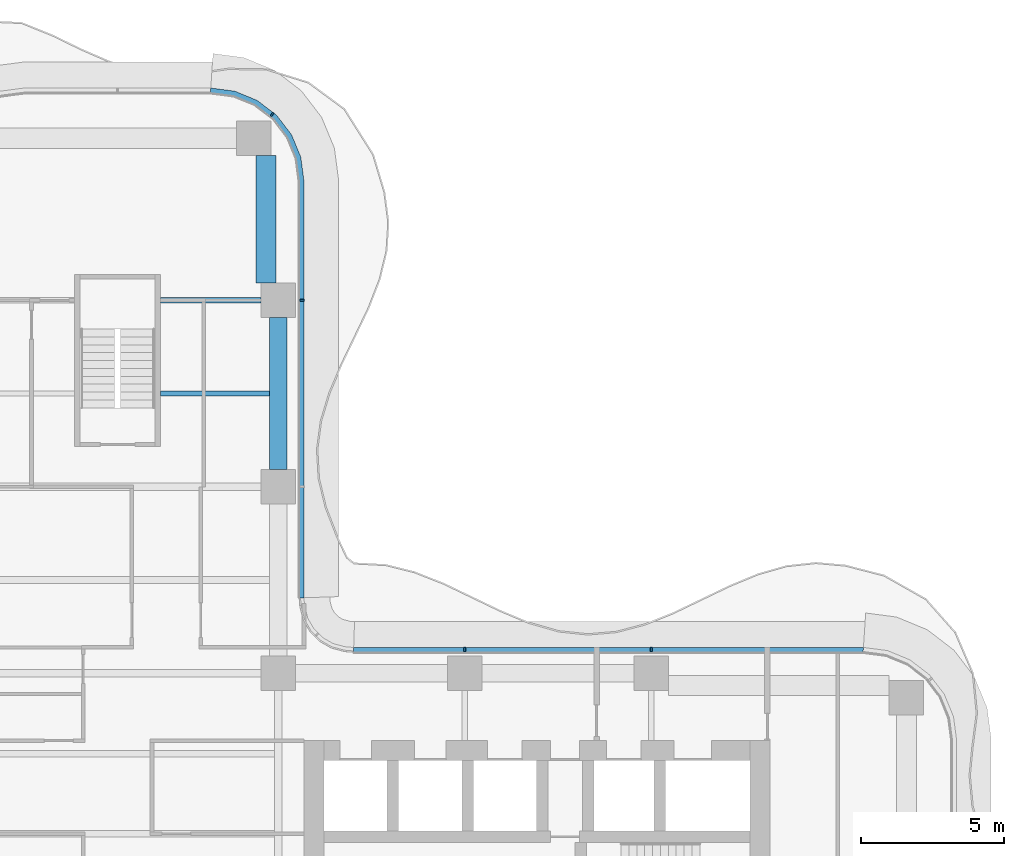
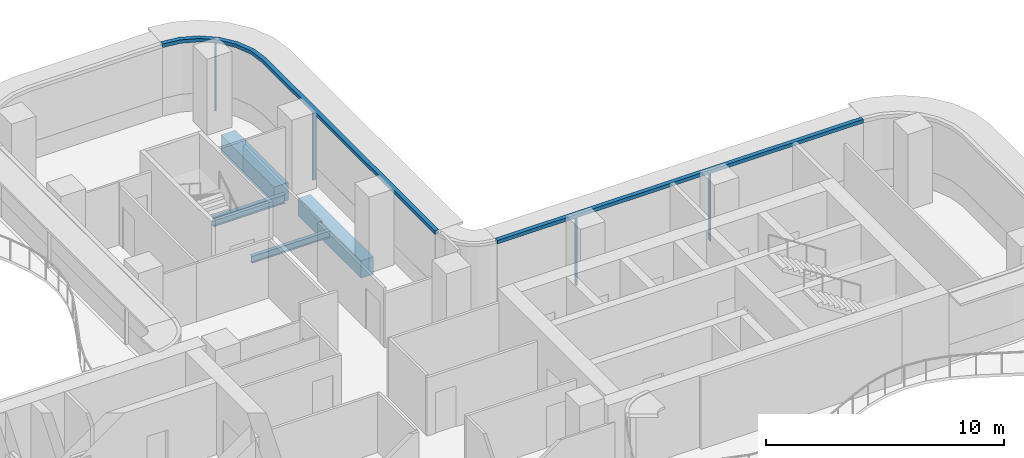
# One storey, part 8 of 17: 6 members, 4 beams, 2 elements without a shape of their own.
"""IFC4 building model written with IfcOpenShell, lengths in metres."""

import ifcopenshell
import ifcopenshell.guid

model = None  # the IFC model being written
_history = None  # IfcOwnerHistory: only IFC2X3 demands one
_inside = {}  # id of a spatial element -> (the spatial element, [elements in it])
_under = {}  # id of a project, library or spatial element -> (it, [spatial elements below it])
_declared = {}  # id of a project -> (the project, [libraries it declares])
_typed = {}  # id of a type object -> (the type object, [elements of that type])
_made_of = {}  # id of a material, layer set ... -> (it, [elements and type objects made of it])


def new_model(schema):
    """Start an empty IFC model of exactly this schema.

    Asked for "IFC4X3", IfcOpenShell would pick the latest addendum, in which some entities
    have other attributes; the version numbers below select the first issue.
    IFC2X3 requires an IfcOwnerHistory on every rooted entity: one is made here for all.
    """
    global model, _history
    if schema == "IFC4X3":
        model = ifcopenshell.file(schema_version=(4, 3, 0, 0))
    else:
        model = ifcopenshell.file(schema=schema)
    _inside.clear()
    _under.clear()
    _declared.clear()
    _typed.clear()
    _made_of.clear()
    _history = None
    if model.schema == "IFC2X3":
        org = make("IfcOrganization", Name="unknown")
        user = make(
            "IfcPersonAndOrganization",
            ThePerson=make("IfcPerson", FamilyName="unknown"),
            TheOrganization=org,
        )
        app = make(
            "IfcApplication",
            ApplicationDeveloper=org,
            Version="unknown",
            ApplicationFullName="unknown",
            ApplicationIdentifier="unknown",
        )
        _history = make(
            "IfcOwnerHistory",
            OwningUser=user,
            OwningApplication=app,
            ChangeAction="ADDED",
            CreationDate=0,
        )
    return model


def make(cls, **values):
    """One entity of the class cls with the attributes given. An attribute that is None is left unset."""
    return model.create_entity(
        cls, **{name: value for name, value in values.items() if value is not None}
    )


def rooted(cls, **values):
    """An entity with a GlobalId (a new one), such as an element, a storey or a relation."""
    return make(cls, GlobalId=ifcopenshell.guid.new(), OwnerHistory=_history, **values)


def si_unit(unit_type, name, prefix=None):
    """IfcSIUnit, for example si_unit("LENGTHUNIT", "METRE", prefix="MILLI")."""
    return make("IfcSIUnit", UnitType=unit_type, Prefix=prefix, Name=name)


def assignment(units):
    """IfcUnitAssignment: the units of a project."""
    return None if units is None else make("IfcUnitAssignment", Units=units)


def point(xyz):
    """IfcCartesianPoint."""
    return None if xyz is None else make("IfcCartesianPoint", Coordinates=xyz)


def direction(xyz):
    """IfcDirection."""
    return None if xyz is None else make("IfcDirection", DirectionRatios=xyz)


def frame(location, z_axis=None, x_axis=None):
    """IfcAxis2Placement3D, a coordinate frame: its origin and axes. An axis left out is left unset."""
    return make(
        "IfcAxis2Placement3D",
        Location=point(location),
        Axis=direction(z_axis),
        RefDirection=direction(x_axis),
    )


def frame_2d(location, x_axis=None):
    """IfcAxis2Placement2D, a coordinate frame in the plane: its origin and x axis."""
    return make(
        "IfcAxis2Placement2D", Location=point(location), RefDirection=direction(x_axis)
    )


def origin():
    """The frame at (0, 0, 0) with its axes left unset."""
    return frame((0.0, 0.0, 0.0))


def origin_2d():
    """The frame at (0, 0) in the plane with its x axis left unset."""
    return frame_2d((0.0, 0.0))


def place(relative_to, where):
    """IfcLocalPlacement: puts the frame where relative to a parent placement (None: the world)."""
    return make(
        "IfcLocalPlacement", PlacementRelTo=relative_to, RelativePlacement=where
    )


def context(
    kind, dimensions, precision=None, world=None, true_north=None, identifier=None
):
    """IfcGeometricRepresentationContext, for example the 3D "Model" context."""
    return make(
        "IfcGeometricRepresentationContext",
        ContextIdentifier=identifier,
        ContextType=kind,
        CoordinateSpaceDimension=dimensions,
        Precision=precision,
        WorldCoordinateSystem=world,
        TrueNorth=true_north,
    )


def subcontext(parent, identifier, kind, view, scale=None):
    """IfcGeometricRepresentationSubContext, for example "Body" below "Model"."""
    return make(
        "IfcGeometricRepresentationSubContext",
        ContextIdentifier=identifier,
        ContextType=kind,
        ParentContext=parent,
        TargetScale=scale,
        TargetView=view,
    )


def project(units=None, contexts=None):
    """IfcProject with its units and contexts."""
    return rooted(
        "IfcProject",
        Name="project",
        RepresentationContexts=contexts,
        UnitsInContext=assignment(units),
    )


def spatial(cls, under=None, at=None, **own):
    """A site, building, storey or space (cls), placed at a placement, below another one or the project."""
    s = rooted(cls, ObjectPlacement=at, **own)
    if under is not None:
        _under.setdefault(under.id(), (under, []))[1].append(s)
    return s


def polyline(points):
    """IfcPolyline through the points."""
    return make("IfcPolyline", Points=[point(p) for p in points])


def profile(cls, at=None, kind="AREA", **sizes):
    """A parametric profile (cls). Its sizes go by their IFC names, for example OverallWidth=200.0."""
    return make(cls, ProfileType=kind, Position=at, **sizes)


def rectangle(**sizes):
    """IfcRectangleProfileDef."""
    return profile("IfcRectangleProfileDef", **sizes)


def i_section(**sizes):
    """IfcIShapeProfileDef."""
    return profile("IfcIShapeProfileDef", **sizes)


def outline(outer, holes=None, kind="AREA"):
    """IfcArbitraryClosedProfileDef: a profile drawn as a closed curve; with holes, ...WithVoids."""
    if holes is None:
        return make("IfcArbitraryClosedProfileDef", ProfileType=kind, OuterCurve=outer)
    return make(
        "IfcArbitraryProfileDefWithVoids",
        ProfileType=kind,
        OuterCurve=outer,
        InnerCurves=holes,
    )


def extrude(swept, where, along, depth):
    """IfcExtrudedAreaSolid: the profile swept, set in the frame where, extruded along a direction by depth."""
    return make(
        "IfcExtrudedAreaSolid",
        SweptArea=swept,
        Position=where,
        ExtrudedDirection=direction(along),
        Depth=depth,
    )


def shape(context_of_items, identifier, shape_type, items):
    """IfcShapeRepresentation: the items that make up one representation, for example the "Body"."""
    return make(
        "IfcShapeRepresentation",
        ContextOfItems=context_of_items,
        RepresentationIdentifier=identifier,
        RepresentationType=shape_type,
        Items=items,
    )


def source(mapping_origin, context_of_items, identifier, shape_type, items):
    """IfcRepresentationMap: a shape defined once, which mapped items show again and again."""
    return make(
        "IfcRepresentationMap",
        MappingOrigin=mapping_origin,
        MappedRepresentation=shape(context_of_items, identifier, shape_type, items),
    )


def transform(
    local_origin,
    x_axis=None,
    y_axis=None,
    z_axis=None,
    scale=None,
    scale2=None,
    scale3=None,
    uniform=True,
):
    """IfcCartesianTransformationOperator3D, or its non-uniform kind. x_axis, y_axis, z_axis: its Axis1, 2, 3."""
    if uniform:
        return make(
            "IfcCartesianTransformationOperator3D",
            Axis1=direction(x_axis),
            Axis2=direction(y_axis),
            LocalOrigin=point(local_origin),
            Scale=scale,
            Axis3=direction(z_axis),
        )
    return make(
        "IfcCartesianTransformationOperator3DnonUniform",
        Axis1=direction(x_axis),
        Axis2=direction(y_axis),
        LocalOrigin=point(local_origin),
        Scale=scale,
        Axis3=direction(z_axis),
        Scale2=scale2,
        Scale3=scale3,
    )


def mapped(mapping_source, mapping_target):
    """IfcMappedItem: shows the shape of a source again, moved by a transform."""
    return make(
        "IfcMappedItem", MappingSource=mapping_source, MappingTarget=mapping_target
    )


def material(Name=None, Category=None):
    """IfcMaterial."""
    return make("IfcMaterial", Name=Name, Category=Category)


def layer(
    of_material, thickness, ventilated=None, Name=None, Category=None, Priority=None
):
    """IfcMaterialLayer: one layer of a wall or slab, of a material (None: an air gap)."""
    return make(
        "IfcMaterialLayer",
        Material=of_material,
        LayerThickness=thickness,
        IsVentilated=ventilated,
        Name=Name,
        Category=Category,
        Priority=Priority,
    )


def layer_set(layers, Name=None):
    """IfcMaterialLayerSet."""
    return make("IfcMaterialLayerSet", MaterialLayers=layers, LayerSetName=Name)


def material_profile(
    of_material, cross_section, Name=None, Category=None, Priority=None
):
    """IfcMaterialProfile: a cross section and its material."""
    return make(
        "IfcMaterialProfile",
        Name=Name,
        Material=of_material,
        Profile=cross_section,
        Priority=Priority,
        Category=Category,
    )


def profile_set(profiles, Name=None, composite=None):
    """IfcMaterialProfileSet."""
    return make(
        "IfcMaterialProfileSet",
        Name=Name,
        MaterialProfiles=profiles,
        CompositeProfile=composite,
    )


def made_of(thing, what):
    """Note that an element or type object is made of a material, layer set ...; save() writes the relation."""
    if what is not None:
        _made_of.setdefault(what.id(), (what, []))[1].append(thing)
    return thing


def type_object(cls, material=None, **own):
    """A type object (cls), such as IfcWallType, which elements share."""
    return made_of(rooted(cls, **own), material)


def element(
    cls,
    number,
    at=None,
    inside=None,
    cuts=None,
    type_object=None,
    material=None,
    context=None,
    identifier="Body",
    shape_type=None,
    held_by="IfcProductDefinitionShape",
    body=None,
    shapes=None,
    **own,
):
    """One element of the class cls, such as IfcWall. Its Tag is "e" and its number.

    at: its placement. inside: the storey or other place that contains it. cuts: it is an
    opening in that element (IfcRelVoidsElement). A single representation is given by context,
    identifier, shape_type and body (its items); several are given by shapes. held_by: the class
    of the entity that holds the representations. save() writes the other relations.
    """
    e = rooted(cls, Tag="e%d" % number, ObjectPlacement=at, **own)
    if body is not None:
        shapes = [shape(context, identifier, shape_type, body)]
    if shapes is not None:
        e.Representation = make(held_by, Representations=shapes)
    if inside is not None:
        _inside.setdefault(inside.id(), (inside, []))[1].append(e)
    if cuts is not None:
        rooted(
            "IfcRelVoidsElement", RelatingBuildingElement=cuts, RelatedOpeningElement=e
        )
    if type_object is not None:
        _typed.setdefault(type_object.id(), (type_object, []))[1].append(e)
    return made_of(e, material)


def aggregate(whole, parts):
    """IfcRelAggregates: a whole, such as a stair, and the parts it consists of."""
    return rooted("IfcRelAggregates", RelatingObject=whole, RelatedObjects=parts)


def save(model, path):
    """Write the relations noted so far, then the file.

    IfcRelAggregates (storeys below a building ...), IfcRelContainedInSpatialStructure (elements
    in a storey), IfcRelDefinesByType, IfcRelAssociatesMaterial and IfcRelDeclares: one each for
    every whole, place, type object, material and project.
    """
    for whole, parts in _under.values():
        aggregate(whole, parts)
    for where, things in _inside.values():
        rooted(
            "IfcRelContainedInSpatialStructure",
            RelatedElements=things,
            RelatingStructure=where,
        )
    for kind, things in _typed.values():
        rooted("IfcRelDefinesByType", RelatedObjects=things, RelatingType=kind)
    for what, things in _made_of.values():
        rooted("IfcRelAssociatesMaterial", RelatedObjects=things, RelatingMaterial=what)
    for by, libraries in _declared.values():
        rooted("IfcRelDeclares", RelatingContext=by, RelatedDefinitions=libraries)
    model.write(path)


model = new_model("IFC4")

# Units and contexts
model_context = context("Model", 3, precision=1e-05, world=origin(), true_north=direction((0.0, 1.0)))
body_context = subcontext(model_context, "Body", "Model", "MODEL_VIEW")
ifc_project = project(units=[si_unit("LENGTHUNIT", "METRE"), si_unit("AREAUNIT", "SQUARE_METRE"), si_unit("VOLUMEUNIT", "CUBIC_METRE"), si_unit("PLANEANGLEUNIT", "RADIAN"), si_unit("MASSUNIT", "GRAM", prefix="KILO")], contexts=[model_context])

# Site, building, storey
site_placement = place(None, origin())
site = spatial("IfcSite", under=ifc_project, at=site_placement, CompositionType="ELEMENT")
building_placement = place(site_placement, origin())
building = spatial("IfcBuilding", under=site, at=building_placement, Name="Trellis Farm Tower", CompositionType="ELEMENT")
storey_placement = place(building_placement, frame((0.0, 0.0, 165.89990234375)))
storey = spatial("IfcBuildingStorey", under=building, at=storey_placement, Name="L35", CompositionType="ELEMENT", Elevation=165.89990234375)

# Curtain wall, member
ifc_material_1 = material(Name="Aluminium and glass curtain wall", Category="aluminium")
ifc_layer_1 = layer(ifc_material_1, 0.18994140625)
ifc_layer_set_1 = layer_set([ifc_layer_1], Name="RIBBON CURTAIN WALL CW1")
curtain_wall_type = type_object("IfcCurtainWallType", Name="RIBBON CURTAIN WALL CW1", PredefinedType="NOTDEFINED", material=ifc_layer_set_1)
placement_1 = place(storey_placement, origin())
curtain_wall_1 = element("IfcCurtainWall", 1, at=placement_1, inside=storey, type_object=curtain_wall_type, Name="CW1 009", PredefinedType="NOTDEFINED")
ifc_material_2 = material(Name="Aluminium extrusion 6063-T6", Category="aluminium")
ifc_layer_2 = layer(ifc_material_2, 0.199951171875)
ifc_layer_set_2 = layer_set([ifc_layer_2], Name="Aluminium extrusion 6063-T6")
member_type_1 = type_object("IfcMemberType", Name="CW1 TRANSOM 200x180", PredefinedType="USERDEFINED", material=ifc_layer_set_2)
placement_2 = place(storey_placement, frame((0.0, 0.0, 3.52001953125)))
member_1 = element("IfcMember", 2, at=placement_2, type_object=member_type_1, Name="TR1 009", ObjectType="TRANSOM", PredefinedType="USERDEFINED", context=body_context, shape_type="SweptSolid", body=[
    extrude(outline(polyline([(6.5, 8.2314453125), (6.5, 22.75), (6.38916015625, 23.591064453125), (6.064697265625, 24.375), (5.548095703125, 25.048095703125), (4.875, 25.564697265625), (4.091064453125, 25.88916015625), (3.25, 26.0), (3.23681640625, 25.800048828125), (4.0390625, 25.6943359375), (4.774169921875, 25.389892578125), (5.405517578125, 24.905517578125), (5.889892578125, 24.274169921875), (6.1943359375, 23.5390625), (6.300048828125, 22.73681640625), (6.300048828125, 8.224853515625), (6.5, 8.2314453125)])), origin(), (0.0, 0.0, 1.0), 0.18017578125),
])

# Beams
ifc_material_3 = material(Name="Steel S355", Category="steel")
ifc_material_profile_1 = material_profile(ifc_material_3, i_section(OverallWidth=0.1904296875, OverallDepth=0.45703125, WebThickness=0.009033203125, FlangeThickness=0.014404296875, FilletRadius=0.01025390625, at=origin_2d()), Name="UB 457x191x74")
ifc_profile_set_1 = profile_set([ifc_material_profile_1], Name="Steel S355")
beam_type_1 = type_object("IfcBeamType", Name="UB 457x191x74", PredefinedType="BEAM", material=ifc_profile_set_1)
shared_shape_1 = source(origin(), body_context, "Body", "SweptSolid", [
    extrude(i_section(OverallWidth=0.1904296875, OverallDepth=0.45703125, WebThickness=0.009033203125, FlangeThickness=0.014404296875, FilletRadius=0.01025390625, at=origin_2d()), origin(), (0.0, 0.0, 1.0), 3.5),
])
beam_1_placement = place(storey_placement, frame((1.5, 18.60009765625, -0.428466796875), z_axis=(1.0, 0.0, 0.0), x_axis=(0.0, 1.0, 0.0)))
element("IfcBeam", 3, at=beam_1_placement, inside=storey, type_object=beam_type_1, Name="Girder", PredefinedType="BEAM", context=body_context, shape_type="MappedRepresentation", body=[
    mapped(shared_shape_1, transform((0.0, 0.0, 0.0))),
])
ifc_material_4 = material(Name="Concrete C60/75", Category="concrete")
ifc_material_profile_2 = material_profile(ifc_material_4, rectangle(XDim=0.60009765625, YDim=0.89990234375, at=origin_2d()), Name="RC spandrel beam 600x900 C60/75")
ifc_profile_set_2 = profile_set([ifc_material_profile_2], Name="Concrete C60/75")
beam_type_2 = type_object("IfcBeamType", Name="RC spandrel beam 600x900 C60/75", PredefinedType="SPANDREL", material=ifc_profile_set_2)
shared_shape_2 = source(origin(), body_context, "Body", "SweptSolid", [
    extrude(rectangle(XDim=0.60009765625, YDim=0.89990234375, at=origin_2d()), origin(), (0.0, 0.0, 1.0), 5.300048828125),
])
beam_2_placement = place(storey_placement, frame((5.60009765625, 12.699951171875, -0.64990234375), z_axis=(0.0, 1.0, 0.0), x_axis=(-1.0, 0.0, 0.0)))
element("IfcBeam", 4, at=beam_2_placement, inside=storey, type_object=beam_type_2, Name="Girder", PredefinedType="SPANDREL", context=body_context, shape_type="MappedRepresentation", body=[
    mapped(shared_shape_2, transform((0.0, 0.0, 0.0))),
])
ifc_material_profile_3 = material_profile(ifc_material_4, rectangle(XDim=0.699951171875, YDim=0.89990234375, at=origin_2d()), Name="RC spandrel beam 700x900 C60/75")
ifc_profile_set_3 = profile_set([ifc_material_profile_3], Name="Concrete C60/75")
beam_type_3 = type_object("IfcBeamType", Name="RC spandrel beam 700x900 C60/75", PredefinedType="SPANDREL", material=ifc_profile_set_3)
shared_shape_3 = source(origin(), body_context, "Body", "SweptSolid", [
    extrude(rectangle(XDim=0.699951171875, YDim=0.89990234375, at=origin_2d()), origin(), (0.0, 0.0, 1.0), 4.449951171875),
])
beam_3_placement = place(storey_placement, frame((5.175048828125, 19.199951171875, -0.64990234375), z_axis=(0.0, 1.0, 0.0), x_axis=(-1.0, 0.0, 0.0)))
element("IfcBeam", 5, at=beam_3_placement, inside=storey, type_object=beam_type_3, Name="Girder", PredefinedType="SPANDREL", context=body_context, shape_type="MappedRepresentation", body=[
    mapped(shared_shape_3, transform((0.0, 0.0, 0.0))),
])
ifc_material_profile_4 = material_profile(ifc_material_3, i_section(OverallWidth=0.17138671875, OverallDepth=0.35498046875, WebThickness=0.00732421875, FlangeThickness=0.011474609375, FilletRadius=0.01025390625, at=origin_2d()), Name="UB 356x171x51")
ifc_profile_set_4 = profile_set([ifc_material_profile_4], Name="Steel S355")
beam_type_4 = type_object("IfcBeamType", Name="UB 356x171x51 joist", PredefinedType="JOIST", material=ifc_profile_set_4)
shared_shape_4 = source(origin(), body_context, "Body", "SweptSolid", [
    extrude(i_section(OverallWidth=0.17138671875, OverallDepth=0.35498046875, WebThickness=0.00732421875, FlangeThickness=0.011474609375, FilletRadius=0.01025390625, at=origin_2d()), origin(), (0.0, 0.0, 1.0), 3.800048828125),
])
beam_4_placement = place(storey_placement, frame((1.5, 15.35009765625, -0.37744140625), z_axis=(1.0, 0.0, 0.0), x_axis=(0.0, 1.0, 0.0)))
element("IfcBeam", 6, at=beam_4_placement, inside=storey, type_object=beam_type_4, Name="Floor beam", PredefinedType="JOIST", context=body_context, shape_type="MappedRepresentation", body=[
    mapped(shared_shape_4, transform((0.0, 0.0, 0.0))),
])

# Curtain wall, members
curtain_wall_2 = element("IfcCurtainWall", 7, at=placement_1, inside=storey, type_object=curtain_wall_type, Name="CW1 008", PredefinedType="NOTDEFINED")
ifc_material_profile_5 = material_profile(ifc_material_2, rectangle(XDim=0.06005859375, YDim=0.14990234375, at=origin_2d()), Name="MULLION 60x150")
ifc_profile_set_5 = profile_set([ifc_material_profile_5], Name="Aluminium extrusion 6063-T6")
member_type_2 = type_object("IfcMemberType", Name="CW1 MULLION 60x150", PredefinedType="MULLION", material=ifc_profile_set_5)
shared_shape_5 = source(origin(), body_context, "Body", "SweptSolid", [
    extrude(rectangle(XDim=0.06005859375, YDim=0.14990234375, at=origin_2d()), origin(), (0.0, 0.0, 1.0), 3.52001953125),
])
member_2_placement = place(storey_placement, frame((18.60009765625, 6.425048828125, 0.0), z_axis=(0.0, 0.0, 1.0), x_axis=(-1.0, 0.0, 0.0)))
member_2 = element("IfcMember", 8, at=member_2_placement, type_object=member_type_2, Name="MU1 008-01", PredefinedType="MULLION", context=body_context, shape_type="MappedRepresentation", body=[
    mapped(shared_shape_5, transform((0.0, 0.0, 0.0))),
])
member_3_placement = place(storey_placement, frame((12.10009765625, 6.425048828125, 0.0), z_axis=(0.0, 0.0, 1.0), x_axis=(-1.0, 0.0, 0.0)))
member_3 = element("IfcMember", 9, at=member_3_placement, type_object=member_type_2, Name="MU1 008-02", PredefinedType="MULLION", context=body_context, shape_type="MappedRepresentation", body=[
    mapped(shared_shape_5, transform((0.0, 0.0, 0.0))),
])

# Member
member_4_placement = place(storey_placement, frame((6.425048828125, 18.60009765625, 0.0), z_axis=(0.0, 0.0, 1.0), x_axis=(0.0, 1.0, 0.0)))
member_4 = element("IfcMember", 10, at=member_4_placement, type_object=member_type_2, Name="MU1 009-02", PredefinedType="MULLION", context=body_context, shape_type="MappedRepresentation", body=[
    mapped(shared_shape_5, transform((0.0, 0.0, 0.0))),
])

member_5_placement = place(storey_placement, frame((5.385498046875, 25.078369140625, 0.0), z_axis=(0.0, 0.0, 1.0), x_axis=(-0.793353340291, 0.608761429009, 0.0)))
member_5 = element("IfcMember", 11, at=member_5_placement, type_object=member_type_2, Name="MU1 009-03", PredefinedType="MULLION", context=body_context, shape_type="MappedRepresentation", body=[
    mapped(shared_shape_5, transform((0.0, 0.0, 0.0))),
])

aggregate(curtain_wall_1, [member_4, member_5, member_1])

shared_shape_6 = source(origin(), body_context, "Body", "SweptSolid", [
    extrude(outline(polyline([(26.0, 6.5), (8.2314453125, 6.5), (8.224853515625, 6.300048828125), (25.98681640625, 6.300048828125), (26.0, 6.5)])), origin(), (0.0, 0.0, 1.0), 0.18017578125),
])
member_6 = element("IfcMember", 12, at=placement_2, type_object=member_type_1, Name="TR1 008", ObjectType="TRANSOM", PredefinedType="USERDEFINED", context=body_context, shape_type="MappedRepresentation", body=[
    mapped(shared_shape_6, transform((0.0, 0.0, 0.0))),
])

aggregate(curtain_wall_2, [member_2, member_3, member_6])

save(model, "model.ifc")
